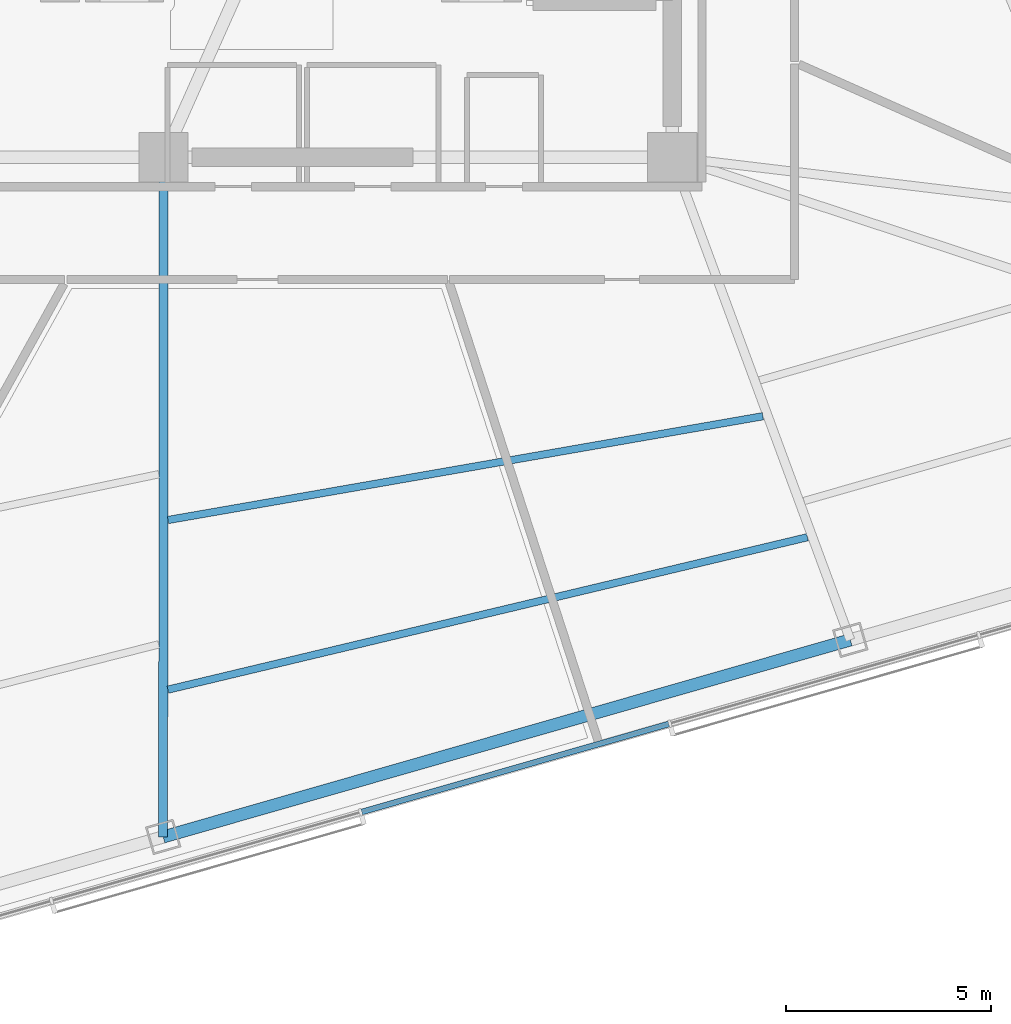
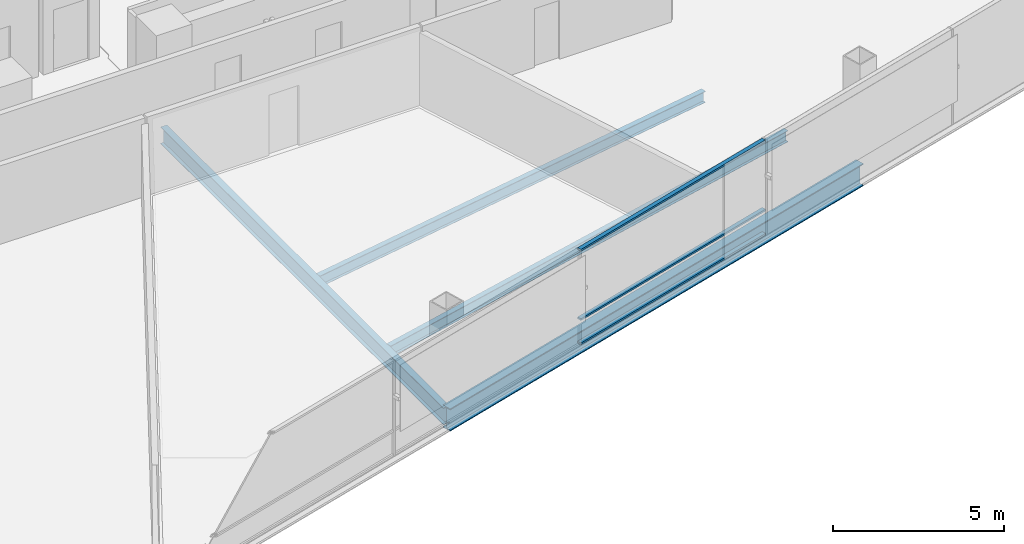
# One storey, part 3 of 17: 4 beams, 3 members, 1 element without a shape of its own.
"""IFC4 building model written with IfcOpenShell, lengths in metres."""

from ifc_helpers import new_model, si_unit, direction, frame, origin, origin_2d, place, context, subcontext, project, spatial, rectangle, i_section, extrude, material, layer, layer_set, material_profile, profile_set, type_object, element, aggregate, save


model = new_model("IFC4")

# Units and contexts
model_context = context("Model", 3, precision=1e-05, world=origin(), true_north=direction((0.0, 1.0)))
body_context = subcontext(model_context, "Body", "Model", "MODEL_VIEW")
ifc_project = project(units=[si_unit("LENGTHUNIT", "METRE"), si_unit("AREAUNIT", "SQUARE_METRE"), si_unit("VOLUMEUNIT", "CUBIC_METRE"), si_unit("PLANEANGLEUNIT", "RADIAN"), si_unit("MASSUNIT", "GRAM", prefix="KILO")], contexts=[model_context])

# Site, building, storey
site_placement = place(None, origin())
site = spatial("IfcSite", under=ifc_project, at=site_placement, CompositionType="ELEMENT")
building_placement = place(site_placement, origin())
building = spatial("IfcBuilding", under=site, at=building_placement, Name="Tharavind Bronze Gate", CompositionType="ELEMENT")
storey_placement = place(building_placement, frame((0.0, 0.0, 96.89990234375)))
storey = spatial("IfcBuildingStorey", under=building, at=storey_placement, Name="L24", CompositionType="ELEMENT", Elevation=96.89990234375)

# Curtain wall, members
ifc_material_1 = material(Name="Anodised Bronze Aluminium", Category="aluminium")
ifc_layer = layer(ifc_material_1, 0.219970703125)
ifc_layer_set = layer_set([ifc_layer], Name="Anodised Bronze Aluminium")
curtain_wall_type = type_object("IfcCurtainWallType", Name="UNITISED CURTAIN WALL LOWER OFFICE", PredefinedType="USERDEFINED", material=ifc_layer_set)
curtain_wall_placement = place(storey_placement, origin())
curtain_wall = element("IfcCurtainWall", 1, at=curtain_wall_placement, inside=storey, type_object=curtain_wall_type, Name="L24 unitised curtain wall lower office CW-L24-S2", ObjectType="UNITISED CURTAIN WALL", PredefinedType="USERDEFINED")
member_type = type_object("IfcMemberType", Name="CURTAIN WALL BRONZE TRANSOM 65X140", PredefinedType="USERDEFINED", material=ifc_material_1)
member_1_placement = place(storey_placement, frame((5.07177734375, -22.487060546875, 0.000244140625), z_axis=(0.0, 0.0, 1.0), x_axis=(0.961261695938, 0.275637355817, 0.0)))
member_1 = element("IfcMember", 2, at=member_1_placement, type_object=member_type, Name="CW-L24-S2 transom TB4", ObjectType="TRANSOM", PredefinedType="USERDEFINED", context=body_context, shape_type="SweptSolid", body=[
    extrude(rectangle(XDim=7.7841796875, YDim=0.139892578125, at=origin_2d()), origin(), (0.0, 0.0, 1.0), 0.06494140625),
])
member_2_placement = place(storey_placement, frame((5.07177734375, -22.487060546875, 0.86767578125), z_axis=(0.0, 0.0, 1.0), x_axis=(0.961261695938, 0.275637355817, 0.0)))
member_2 = element("IfcMember", 3, at=member_2_placement, type_object=member_type, Name="CW-L24-S2 transom TS4", ObjectType="TRANSOM", PredefinedType="USERDEFINED", context=body_context, shape_type="SweptSolid", body=[
    extrude(rectangle(XDim=7.7841796875, YDim=0.139892578125, at=origin_2d()), origin(), (0.0, 0.0, 1.0), 0.06494140625),
])
member_3_placement = place(storey_placement, frame((5.07177734375, -22.487060546875, 3.34521484375), z_axis=(0.0, 0.0, 1.0), x_axis=(0.961261695938, 0.275637355817, 0.0)))
member_3 = element("IfcMember", 4, at=member_3_placement, type_object=member_type, Name="CW-L24-S2 transom TT4", ObjectType="TRANSOM", PredefinedType="USERDEFINED", context=body_context, shape_type="SweptSolid", body=[
    extrude(rectangle(XDim=7.7841796875, YDim=0.139892578125, at=origin_2d()), origin(), (0.0, 0.0, 1.0), 0.06494140625),
])
aggregate(curtain_wall, [member_1, member_2, member_3])

# Beams
ifc_material_2 = material(Name="Steel S355", Category="steel")
ifc_material_profile_1 = material_profile(ifc_material_2, i_section(OverallWidth=0.219970703125, OverallDepth=0.60009765625, WebThickness=0.011962890625, FlangeThickness=0.01904296875, at=origin_2d()), Name="IPE600")
ifc_profile_set_1 = profile_set([ifc_material_profile_1], Name="Steel S355")
beam_type_1 = type_object("IfcBeamType", Name="PRIMARY GIRDER IPE600", PredefinedType="USERDEFINED", material=ifc_profile_set_1)
beam_1_placement = place(storey_placement, frame((-3.5078125, -24.1669921875, -0.489990234375), z_axis=(0.000471572938, 0.999999888809, 0.0), x_axis=(-0.999999888809, 0.000471572938, 0.0)))
element("IfcBeam", 5, at=beam_1_placement, inside=storey, type_object=beam_type_1, Name="L24 primary girder ipe600 BM-L24-RAD06", ObjectType="GIRDER", PredefinedType="USERDEFINED", context=body_context, shape_type="SweptSolid", body=[
    extrude(i_section(OverallWidth=0.219970703125, OverallDepth=0.60009765625, WebThickness=0.011962890625, FlangeThickness=0.01904296875, at=origin_2d()), origin(), (0.0, 0.0, 1.0), 16.56689453125),
])
ifc_material_profile_2 = material_profile(ifc_material_2, i_section(OverallWidth=0.300048828125, OverallDepth=0.800048828125, WebThickness=0.017578125, FlangeThickness=0.032958984375, at=origin_2d()), Name="HE800B")
ifc_profile_set_2 = profile_set([ifc_material_profile_2], Name="Steel S355")
beam_type_2 = type_object("IfcBeamType", Name="RING GIRDER HE800B", PredefinedType="USERDEFINED", material=ifc_profile_set_2)
beam_2_placement = place(storey_placement, frame((-3.5078125, -24.1669921875, -0.58984375), z_axis=(0.961261198388, 0.275639090974, 0.0), x_axis=(-0.275639090974, 0.961261198388, 0.0)))
element("IfcBeam", 6, at=beam_2_placement, inside=storey, type_object=beam_type_2, Name="L24 ring girder he800b BM-L24-PRG06", ObjectType="GIRDER", PredefinedType="USERDEFINED", context=body_context, shape_type="SweptSolid", body=[
    extrude(i_section(OverallWidth=0.300048828125, OverallDepth=0.800048828125, WebThickness=0.017578125, FlangeThickness=0.032958984375, at=origin_2d()), origin(), (0.0, 0.0, 1.0), 17.42041015625),
])
ifc_material_profile_3 = material_profile(ifc_material_2, i_section(OverallWidth=0.179931640625, OverallDepth=0.39990234375, WebThickness=0.008544921875, FlangeThickness=0.013427734375, at=origin_2d()), Name="IPE400")
ifc_profile_set_3 = profile_set([ifc_material_profile_3], Name="Steel S355")
beam_type_3 = type_object("IfcBeamType", Name="SECONDARY FLOOR JOIST IPE400", PredefinedType="JOIST", material=ifc_profile_set_3)
beam_3_placement = place(storey_placement, frame((-3.390380859375, -16.443603515625, -0.389892578125), z_axis=(0.985119071956, 0.171873250008, 0.0), x_axis=(-0.171873250008, 0.985119071956, 0.0)))
element("IfcBeam", 7, at=beam_3_placement, inside=storey, type_object=beam_type_3, Name="L24 secondary floor joist ipe400 BM-L24-JSTA06", PredefinedType="JOIST", context=body_context, shape_type="SweptSolid", body=[
    extrude(i_section(OverallWidth=0.179931640625, OverallDepth=0.39990234375, WebThickness=0.008544921875, FlangeThickness=0.013427734375, at=origin_2d()), origin(), (0.0, 0.0, 1.0), 14.716064453125),
])
beam_4_placement = place(storey_placement, frame((-3.392333984375, -20.577880859375, -0.389892578125), z_axis=(0.972740944014, 0.231894492903, 0.0), x_axis=(-0.231894492903, 0.972740944014, 0.0)))
element("IfcBeam", 8, at=beam_4_placement, inside=storey, type_object=beam_type_3, Name="L24 secondary floor joist ipe400 BM-L24-JSTB06", PredefinedType="JOIST", context=body_context, shape_type="SweptSolid", body=[
    extrude(i_section(OverallWidth=0.179931640625, OverallDepth=0.39990234375, WebThickness=0.008544921875, FlangeThickness=0.013427734375, at=origin_2d()), origin(), (0.0, 0.0, 1.0), 16.022705078125),
])

save(model, "model.ifc")
